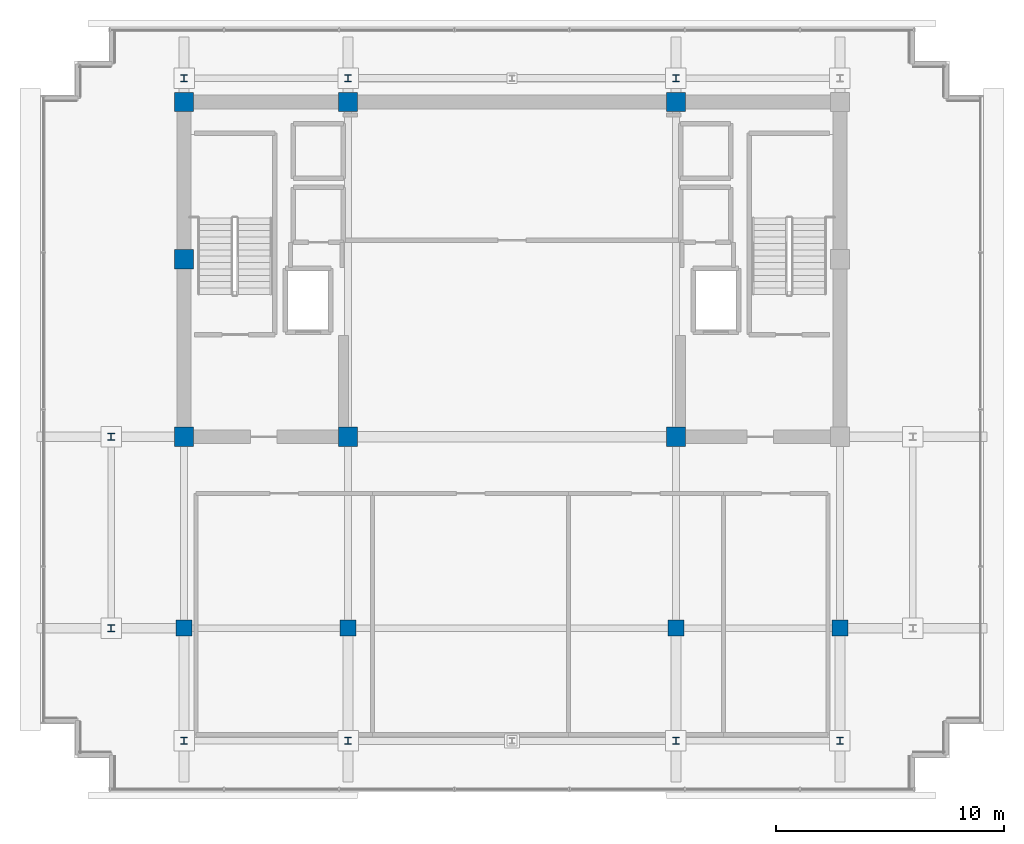
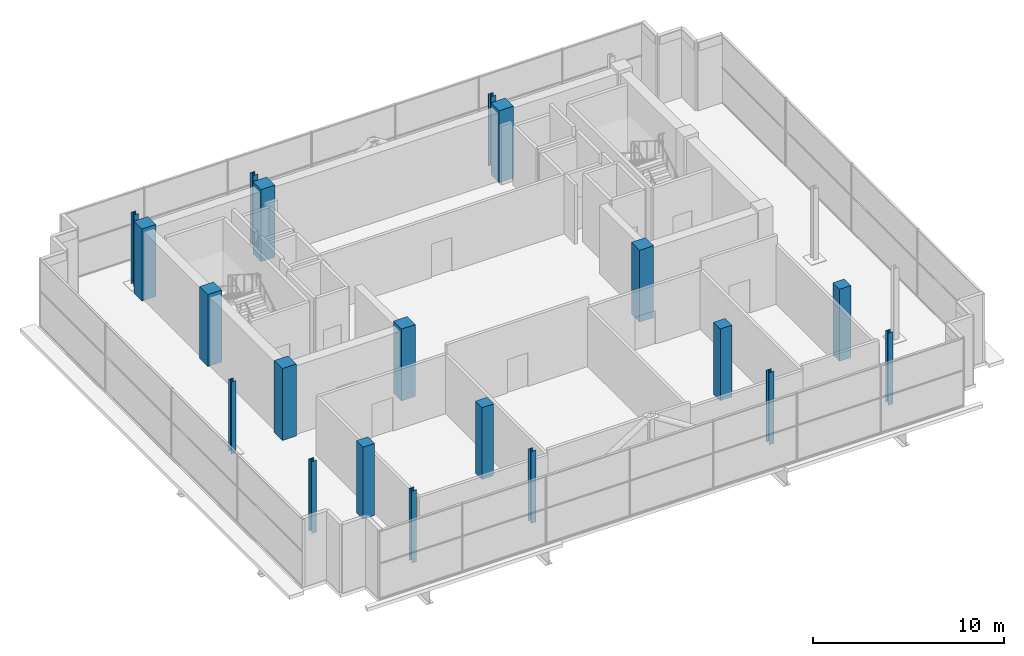
# One storey, part 1 of 28: 20 columns.
"""IFC4 building model written with IfcOpenShell, lengths in metres."""

from ifc_helpers import new_model, si_unit, direction, frame, origin, origin_2d, place, context, subcontext, project, spatial, rectangle, i_section, extrude, material, material_profile, profile_set, type_object, element, save


model = new_model("IFC4")

# Units and contexts
model_context = context("Model", 3, precision=1e-05, world=origin(), true_north=direction((0.0, 1.0)))
body_context = subcontext(model_context, "Body", "Model", "MODEL_VIEW")
ifc_project = project(units=[si_unit("LENGTHUNIT", "METRE"), si_unit("AREAUNIT", "SQUARE_METRE"), si_unit("VOLUMEUNIT", "CUBIC_METRE"), si_unit("PLANEANGLEUNIT", "RADIAN"), si_unit("MASSUNIT", "GRAM", prefix="KILO")], contexts=[model_context])

# Site, building, storey
site_placement = place(None, origin())
site = spatial("IfcSite", under=ifc_project, at=site_placement, CompositionType="ELEMENT")
building_placement = place(site_placement, origin())
building = spatial("IfcBuilding", under=site, at=building_placement, Name="Zarnakvel Exchange Tower", CompositionType="ELEMENT")
storey_placement = place(building_placement, frame((0.0, 0.0, 271.60009765625)))
storey = spatial("IfcBuildingStorey", under=building, at=storey_placement, Name="Crown L77", CompositionType="ELEMENT", Elevation=271.60009765625)

# Columns
ifc_material_1 = material(Name="Concrete C50/60", Category="concrete")
ifc_material_profile_1 = material_profile(ifc_material_1, rectangle(XDim=0.85009765625, YDim=0.85009765625, at=origin_2d()))
ifc_profile_set_1 = profile_set([ifc_material_profile_1], Name="Concrete C50/60")
column_type_1 = type_object("IfcColumnType", Name="CC-03", PredefinedType="COLUMN", material=ifc_profile_set_1)
for number, where, z_axis, x_axis, name in (
    (1, (-14.39990234375, -1.199951171875, 0.0), (0.0, 0.0, 1.0), (1.0, 0.0, 0.0), "Crown L77 Column C-4D (CC-03)"),
    (2, (-7.199951171875, -1.199951171875, 0.0), (0.0, 0.0, 1.0), (1.0, 0.0, 0.0), "Crown L77 Column C-5D (CC-03)"),
    (3, (7.199951171875, -1.199951171875, 0.0), (0.0, 0.0, 1.0), (1.0, 0.0, 0.0), "Crown L77 Column C-8D (CC-03)"),
    (4, (-14.39990234375, 6.60009765625, 0.0), (0.0, 0.0, 1.0), (1.0, 0.0, 0.0), "Crown L77 Column C-4E (CC-03)"),
    (5, (-14.39990234375, 13.5, 0.0), (0.0, 0.0, 1.0), (1.0, 0.0, 0.0), "Crown L77 Column C-4F (CC-03)"),
    (6, (-7.199951171875, 13.5, 0.0), (0.0, 0.0, 1.0), (1.0, 0.0, 0.0), "Crown L77 Column C-5F (CC-03)"),
    (7, (7.199951171875, 13.5, 0.0), (0.0, 0.0, 1.0), (1.0, 0.0, 0.0), "Crown L77 Column C-8F (CC-03)"),
):
    element("IfcColumn", number, at=place(storey_placement, frame(where, z_axis=z_axis, x_axis=x_axis)), inside=storey, type_object=column_type_1, Name=name, PredefinedType="COLUMN", context=body_context, shape_type="SweptSolid", body=[
        extrude(rectangle(XDim=0.85009765625, YDim=0.85009765625, at=origin_2d()), origin(), (0.0, 0.0, 1.0), 4.599853515625),
    ])
ifc_material_2 = material(Name="Steel S355", Category="steel")
ifc_material_profile_2 = material_profile(ifc_material_2, i_section(OverallWidth=0.300048828125, OverallDepth=0.300048828125, WebThickness=0.010986328125, FlangeThickness=0.01904296875, FilletRadius=0.027099609375, at=origin_2d()))
ifc_profile_set_2 = profile_set([ifc_material_profile_2], Name="Steel S355")
column_type_2 = type_object("IfcColumnType", Name="CF-01", PredefinedType="COLUMN", material=ifc_profile_set_2)
for number, where, z_axis, x_axis, name in (
    (8, (-14.39990234375, -14.550048828125, 0.0), (0.0, 0.0, 1.0), (1.0, 0.0, 0.0), "Crown L77 Column CS-4 (CF-01)"),
    (9, (-14.39990234375, 14.550048828125, 0.0), (0.0, 0.0, 1.0), (1.0, 0.0, 0.0), "Crown L77 Column CN-4 (CF-01)"),
    (10, (-7.199951171875, -14.550048828125, 0.0), (0.0, 0.0, 1.0), (1.0, 0.0, 0.0), "Crown L77 Column CS-5 (CF-01)"),
    (11, (-7.199951171875, 14.550048828125, 0.0), (0.0, 0.0, 1.0), (1.0, 0.0, 0.0), "Crown L77 Column CN-5 (CF-01)"),
    (12, (7.199951171875, -14.550048828125, 0.0), (0.0, 0.0, 1.0), (1.0, 0.0, 0.0), "Crown L77 Column CS-8 (CF-01)"),
    (13, (7.199951171875, 14.550048828125, 0.0), (0.0, 0.0, 1.0), (1.0, 0.0, 0.0), "Crown L77 Column CN-8 (CF-01)"),
    (14, (14.39990234375, -14.550048828125, 0.0), (0.0, 0.0, 1.0), (1.0, 0.0, 0.0), "Crown L77 Column CS-9 (CF-01)"),
    (15, (-17.60009765625, -9.60009765625, 0.0), (0.0, 0.0, 1.0), (1.0, 0.0, 0.0), "Crown L77 Column CW-C (CF-01)"),
    (16, (-17.60009765625, -1.199951171875, 0.0), (0.0, 0.0, 1.0), (1.0, 0.0, 0.0), "Crown L77 Column CW-D (CF-01)"),
):
    element("IfcColumn", number, at=place(storey_placement, frame(where, z_axis=z_axis, x_axis=x_axis)), inside=storey, type_object=column_type_2, Name=name, PredefinedType="COLUMN", context=body_context, shape_type="SweptSolid", body=[
        extrude(i_section(OverallWidth=0.300048828125, OverallDepth=0.300048828125, WebThickness=0.010986328125, FlangeThickness=0.01904296875, FilletRadius=0.027099609375, at=origin_2d()), origin(), (0.0, 0.0, 1.0), 4.599853515625),
    ])
ifc_material_profile_3 = material_profile(ifc_material_1, rectangle(XDim=0.699951171875, YDim=0.699951171875, at=origin_2d()))
ifc_profile_set_3 = profile_set([ifc_material_profile_3], Name="Concrete C50/60")
column_type_3 = type_object("IfcColumnType", Name="TC-05", PredefinedType="COLUMN", material=ifc_profile_set_3)
for number, where, z_axis, x_axis, name in (
    (17, (-14.39990234375, -9.60009765625, 0.0), (0.0, 0.0, 1.0), (1.0, 0.0, 0.0), "Crown L77 Column CC-4C (TC-05)"),
    (18, (-7.199951171875, -9.60009765625, 0.0), (0.0, 0.0, 1.0), (1.0, 0.0, 0.0), "Crown L77 Column CC-5C (TC-05)"),
    (19, (7.199951171875, -9.60009765625, 0.0), (0.0, 0.0, 1.0), (1.0, 0.0, 0.0), "Crown L77 Column CC-8C (TC-05)"),
    (20, (14.39990234375, -9.60009765625, 0.0), (0.0, 0.0, 1.0), (1.0, 0.0, 0.0), "Crown L77 Column CC-9C (TC-05)"),
):
    element("IfcColumn", number, at=place(storey_placement, frame(where, z_axis=z_axis, x_axis=x_axis)), inside=storey, type_object=column_type_3, Name=name, PredefinedType="COLUMN", context=body_context, shape_type="SweptSolid", body=[
        extrude(rectangle(XDim=0.699951171875, YDim=0.699951171875, at=origin_2d()), origin(), (0.0, 0.0, 1.0), 4.599853515625),
    ])

save(model, "model.ifc")
